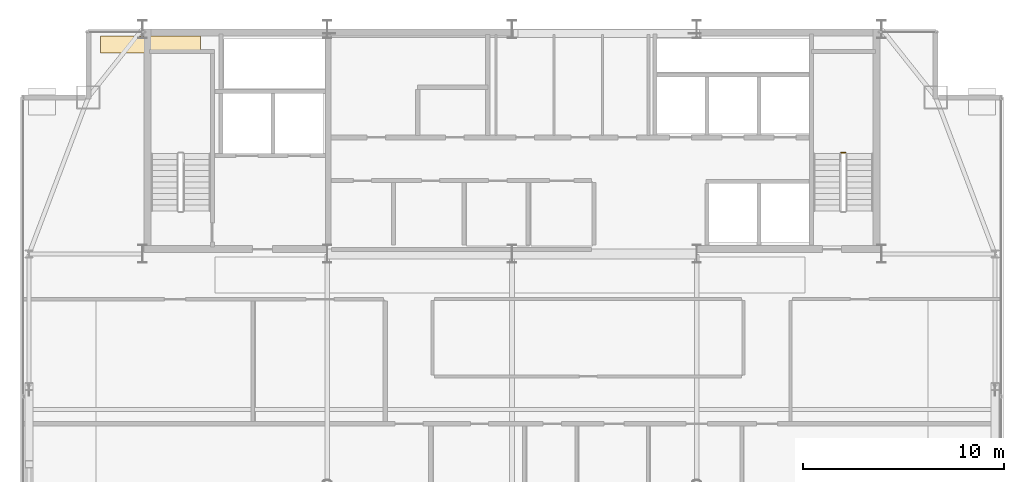
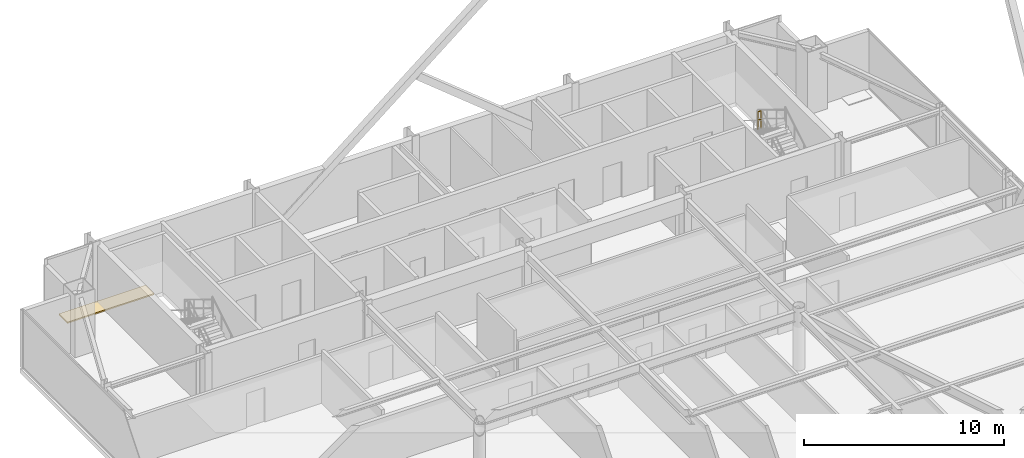
# One storey, part 33 of 33: 1 covering, 1 railing.
"""IFC4 building model written with IfcOpenShell, lengths in metres."""

from ifc_helpers import new_model, si_unit, direction, frame, origin, origin_2d, place, context, subcontext, project, spatial, polyline, rectangle, outline, extrude, material, layer, layer_set, type_object, element, save


model = new_model("IFC4")

# Units and contexts
model_context = context("Model", 3, precision=1e-05, world=origin(), true_north=direction((0.0, 1.0)))
body_context = subcontext(model_context, "Body", "Model", "MODEL_VIEW")
ifc_project = project(units=[si_unit("LENGTHUNIT", "METRE"), si_unit("AREAUNIT", "SQUARE_METRE"), si_unit("VOLUMEUNIT", "CUBIC_METRE"), si_unit("PLANEANGLEUNIT", "RADIAN"), si_unit("MASSUNIT", "GRAM", prefix="KILO")], contexts=[model_context])

# Site, building, storey
site_placement = place(None, origin())
site = spatial("IfcSite", under=ifc_project, at=site_placement, CompositionType="ELEMENT")
building_placement = place(site_placement, origin())
building = spatial("IfcBuilding", under=site, at=building_placement, Name="Varnel Quay Broadcast Tower", CompositionType="ELEMENT")
storey_placement = place(building_placement, frame((0.0, 0.0, 199.800048828125)))
storey = spatial("IfcBuildingStorey", under=building, at=storey_placement, Name="L49", CompositionType="ELEMENT", Elevation=199.800048828125)

# Covering
ifc_material_1 = material(Name="Insulated SBS Modified Bitumen Roof Membrane")
ifc_layer = layer(ifc_material_1, 0.080078125, Name="Insulated SBS Modified Bitumen Roof Membrane")
ifc_layer_set = layer_set([ifc_layer], Name="Insulated SBS Modified Bitumen Roof Membrane")
covering_type = type_object("IfcCoveringType", Name="Cov_RoofMembrane", PredefinedType="ROOFING", material=ifc_layer_set)
covering_placement = place(storey_placement, origin())
element("IfcCovering", 1, at=covering_placement, inside=storey, type_object=covering_type, Name="L49 North Curb Flashing Membrane", PredefinedType="ROOFING", context=body_context, shape_type="SweptSolid", body=[
    extrude(outline(polyline([(13.5, 45.60009765625), (18.5, 45.60009765625), (18.5, 46.449951171875), (13.5, 46.449951171875), (13.5, 45.60009765625)])), origin(), (0.0, 0.0, 1.0), 0.079833984375),
])

# Railing
ifc_material_2 = material(Name="Painted Steel Guard and Handrail CSA G40.21 350W", Category="steel")
railing_type = type_object("IfcRailingType", Name="Rail_StairGuard1100", PredefinedType="GUARDRAIL", material=ifc_material_2)
railing_placement = place(storey_placement, frame((50.60009765625, 40.64990234375, 1.89990234375)))
element("IfcRailing", 2, at=railing_placement, inside=storey, type_object=railing_type, Name="L49 ST-02 stair guard 2", PredefinedType="GUARDRAIL", context=body_context, shape_type="SweptSolid", body=[
    extrude(rectangle(XDim=0.048095703125, YDim=0.048095703125, at=origin_2d()), frame((0.0, 0.0, 1.076171875), z_axis=(-1.0, 0.0, 0.0), x_axis=(0.0, -1.0, 0.0)), (0.0, 0.0, 1.0), 0.2001953125),
    extrude(rectangle(XDim=0.048095703125, YDim=0.048095703125, at=origin_2d()), frame((0.0, 0.0, 0.550048828125), z_axis=(-1.0, 0.0, 0.0), x_axis=(0.0, -1.0, 0.0)), (0.0, 0.0, 1.0), 0.2001953125),
    extrude(rectangle(XDim=0.0419921875, YDim=0.0419921875, at=origin_2d()), origin(), (0.0, 0.0, 1.0), 1.052001953125),
    extrude(rectangle(XDim=0.0419921875, YDim=0.0419921875, at=origin_2d()), frame((-0.2001953125, 0.0, 0.0)), (0.0, 0.0, 1.0), 1.052001953125),
])

save(model, "model.ifc")
